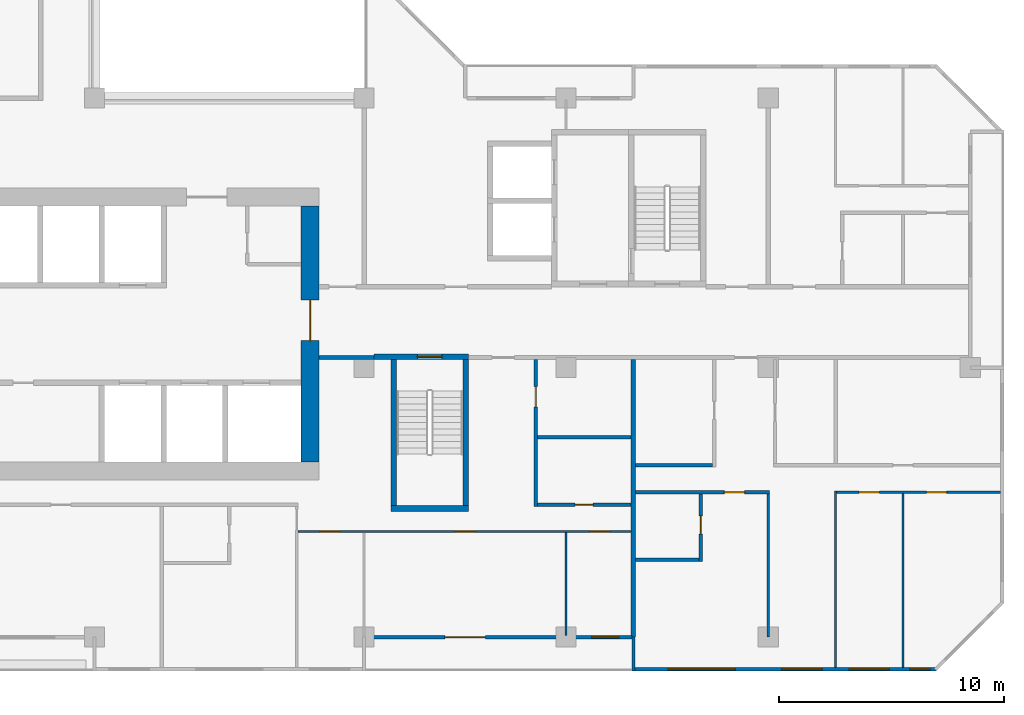
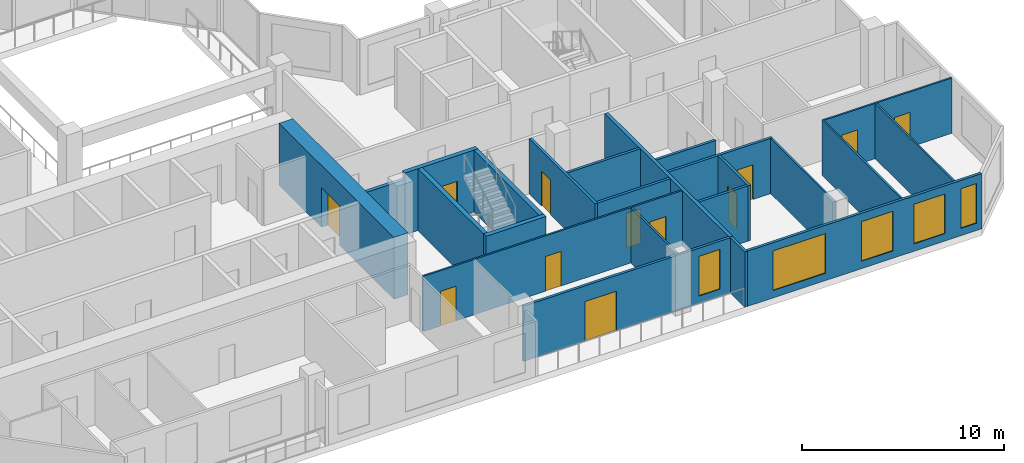
# One storey, part 6 of 14: 23 walls, 12 doors, 5 windows, 17 openings.
"""IFC4 building model written with IfcOpenShell, lengths in metres."""

from ifc_helpers import new_model, si_unit, direction, frame, frame_2d, origin, place, context, subcontext, project, spatial, rectangle, extrude, material, layer, layer_set, type_object, element, fill, save


model = new_model("IFC4")

# Units and contexts
model_context = context("Model", 3, precision=1e-05, world=origin(), true_north=direction((0.0, 1.0)))
body_context = subcontext(model_context, "Body", "Model", "MODEL_VIEW")
ifc_project = project(units=[si_unit("LENGTHUNIT", "METRE"), si_unit("AREAUNIT", "SQUARE_METRE"), si_unit("VOLUMEUNIT", "CUBIC_METRE"), si_unit("PLANEANGLEUNIT", "RADIAN"), si_unit("MASSUNIT", "GRAM", prefix="KILO")], contexts=[model_context])

# Site, building, storey
site_placement = place(None, origin())
site = spatial("IfcSite", under=ifc_project, at=site_placement, CompositionType="ELEMENT")
building_placement = place(site_placement, origin())
building = spatial("IfcBuilding", under=site, at=building_placement, Name="Chenar Terraces", CompositionType="ELEMENT")
storey_placement = place(building_placement, frame((0.0, 0.0, 168.64990234375)))
storey = spatial("IfcBuildingStorey", under=building, at=storey_placement, Name="L38", CompositionType="ELEMENT", Elevation=168.64990234375)

# Wall
ifc_material_1 = material(Name="Concrete C60/75", Category="concrete")
ifc_layer_1 = layer(ifc_material_1, 0.25)
ifc_layer_set_1 = layer_set([ifc_layer_1], Name="Concrete C60/75")
wall_type_1 = type_object("IfcWallType", Name="Core wall 250 Concrete C60/75", PredefinedType="SHEAR", material=ifc_layer_set_1)
wall_1_placement = place(storey_placement, frame((37.199951171875, 5.72509765625, 0.0), z_axis=(0.0, 0.0, 1.0), x_axis=(1.0, 0.0, 0.0)))
element("IfcWall", 1, at=wall_1_placement, inside=storey, type_object=wall_type_1, Name="Core wall ST2_S L38", PredefinedType="SHEAR", context=body_context, shape_type="SweptSolid", body=[
    extrude(rectangle(XDim=3.449951171875, YDim=0.25, at=frame_2d((1.72509765625, 0.0))), origin(), (0.0, 0.0, 1.0), 3.75),
])

# Wall, opening, door
wall_2_placement = place(storey_placement, frame((36.449951171875, 12.47509765625, 0.0), z_axis=(0.0, 0.0, 1.0), x_axis=(1.0, 0.0, 0.0)))
wall_2 = element("IfcWall", 2, at=wall_2_placement, inside=storey, type_object=wall_type_1, Name="Core wall ST2_N L38", PredefinedType="SHEAR", context=body_context, shape_type="SweptSolid", body=[
    extrude(rectangle(XDim=4.199951171875, YDim=0.25, at=frame_2d((2.10009765625, 0.0))), origin(), (0.0, 0.0, 1.0), 3.75),
])
opening_1_placement = place(wall_2_placement, frame((1.925048828125, 0.0, 0.0)))
opening_1 = element("IfcOpeningElement", 3, at=opening_1_placement, cuts=wall_2, Name="Opening DL38-C7", PredefinedType="OPENING", context=body_context, shape_type="SweptSolid", body=[
    extrude(rectangle(XDim=1.10009765625, YDim=2.199951171875, at=frame_2d((0.550048828125, 1.10009765625))), frame((0.0, 0.135009765625, 0.0), z_axis=(0.0, -1.0, 0.0), x_axis=(1.0, 0.0, 0.0)), (0.0, 0.0, 1.0), 0.27001953125),
])
ifc_material_2 = material(Name="Steel-framed fire-resisting door leaf", Category="steel")
door_type_1 = type_object("IfcDoorType", Name="Stair fire door FD60 1100 x 2200", OperationType="SINGLE_SWING_LEFT", PredefinedType="DOOR", material=ifc_material_2)
door_1_placement = place(opening_1_placement, frame((1.10009765625, 0.0, 0.0), z_axis=(0.0, 0.0, 1.0), x_axis=(-1.0, 0.0, 0.0)))
door_1 = element("IfcDoor", 4, at=door_1_placement, inside=storey, type_object=door_type_1, Name="Stair door DL38-C7", OperationType="SINGLE_SWING_RIGHT", OverallHeight=2.199951171875, OverallWidth=1.10009765625, PredefinedType="DOOR", context=body_context, shape_type="SweptSolid", body=[
    extrude(rectangle(XDim=1.10009765625, YDim=2.199951171875, at=frame_2d((0.550048828125, 1.10009765625))), frame((0.0, 0.02490234375, 0.0), z_axis=(0.0, -1.0, 0.0), x_axis=(1.0, 0.0, 0.0)), (0.0, 0.0, 1.0), 0.050048828125),
])
fill(opening_1, door_1)

# Walls
for number, where, z_axis, x_axis, name in (
    (5, (37.324951171875, 5.85009765625, 0.0), (0.0, 0.0, 1.0), (0.0, 1.0, 0.0), "Core wall ST2_W L38"),
    (6, (40.52490234375, 5.85009765625, 0.0), (0.0, 0.0, 1.0), (0.0, 1.0, 0.0), "Core wall ST2_E L38"),
):
    element("IfcWall", number, at=place(storey_placement, frame(where, z_axis=z_axis, x_axis=x_axis)), inside=storey, type_object=wall_type_1, Name=name, PredefinedType="SHEAR", context=body_context, shape_type="SweptSolid", body=[
        extrude(rectangle(XDim=6.5, YDim=0.25, at=frame_2d((3.25, 0.0))), origin(), (0.0, 0.0, 1.0), 3.75),
    ])

# Wall, opening, door
ifc_material_3 = material(Name="Concrete C60/75", Category="concrete")
ifc_layer_2 = layer(ifc_material_3, 0.800048828125)
ifc_layer_set_2 = layer_set([ifc_layer_2], Name="Concrete C60/75")
wall_type_2 = type_object("IfcWallType", Name="Core wall 800 Concrete C60/75", PredefinedType="SHEAR", material=ifc_layer_set_2)
wall_3_placement = place(storey_placement, frame((33.60009765625, 7.800048828125, 0.0), z_axis=(0.0, 0.0, 1.0), x_axis=(0.0, 1.0, 0.0)))
wall_3 = element("IfcWall", 7, at=wall_3_placement, inside=storey, type_object=wall_type_2, Name="Core wall E L38", PredefinedType="SHEAR", context=body_context, shape_type="SweptSolid", body=[
    extrude(rectangle(XDim=11.39990234375, YDim=0.800048828125, at=frame_2d((5.699951171875, 0.0))), origin(), (0.0, 0.0, 1.0), 3.75),
])
opening_2_placement = place(wall_3_placement, frame((5.39990234375, 0.0, 0.0)))
opening_2 = element("IfcOpeningElement", 8, at=opening_2_placement, cuts=wall_3, Name="Opening DL38-C1", PredefinedType="OPENING", context=body_context, shape_type="SweptSolid", body=[
    extrude(rectangle(XDim=1.800048828125, YDim=2.39990234375, at=frame_2d((0.89990234375, 1.199951171875))), frame((0.0, 0.409912109375, 0.0), z_axis=(0.0, -1.0, 0.0), x_axis=(1.0, 0.0, 0.0)), (0.0, 0.0, 1.0), 0.820068359375),
])
ifc_material_4 = material(Name="Steel-framed fire-resisting door leaf", Category="steel")
door_type_2 = type_object("IfcDoorType", Name="Core entrance double fire door FD60 1800 x 2400", OperationType="DOUBLE_DOOR_SINGLE_SWING", PredefinedType="DOOR", material=ifc_material_4)
door_2_placement = place(opening_2_placement, origin())
door_2 = element("IfcDoor", 9, at=door_2_placement, inside=storey, type_object=door_type_2, Name="Core door DL38-C1", OperationType="DOUBLE_DOOR_SINGLE_SWING", OverallHeight=2.39990234375, OverallWidth=1.800048828125, PredefinedType="DOOR", context=body_context, shape_type="SweptSolid", body=[
    extrude(rectangle(XDim=1.800048828125, YDim=2.39990234375, at=frame_2d((0.89990234375, 1.199951171875))), frame((0.0, 0.02490234375, 0.0), z_axis=(0.0, -1.0, 0.0), x_axis=(1.0, 0.0, 0.0)), (0.0, 0.0, 1.0), 0.050048828125),
])
fill(opening_2, door_2)

# Wall
ifc_material_5 = material(Name="Gypsum board on steel studs with fire boards", Category="steel")
ifc_layer_3 = layer(ifc_material_5, 0.199951171875)
ifc_layer_set_3 = layer_set([ifc_layer_3], Name="Gypsum board on steel studs with fire boards")
wall_type_3 = type_object("IfcWallType", Name="Corridor wall 200", PredefinedType="PARTITIONING", material=ifc_layer_set_3)
wall_4_placement = place(storey_placement, frame((34.0, 12.449951171875, 0.0), z_axis=(0.0, 0.0, 1.0), x_axis=(1.0, 0.0, 0.0)))
element("IfcWall", 10, at=wall_4_placement, inside=storey, type_object=wall_type_3, Name="Partition L38-059", PredefinedType="PARTITIONING", context=body_context, shape_type="SweptSolid", body=[
    extrude(rectangle(XDim=2.450927734375, YDim=0.199951171875, at=frame_2d((1.2255859375, 0.0))), origin(), (0.0, 0.0, 1.0), 3.35009765625),
])

# Wall, openings, windows
ifc_material_6 = material(Name="Aluminium framed glazing", Category="aluminium")
ifc_layer_4 = layer(ifc_material_6, 0.14990234375)
ifc_layer_set_4 = layer_set([ifc_layer_4], Name="Aluminium framed glazing")
wall_type_4 = type_object("IfcWallType", Name="Glazed flush facade wall 150", PredefinedType="SOLIDWALL", material=ifc_layer_set_4)
wall_5_placement = place(storey_placement, frame((48.074951171875, -1.425048828125, 0.0), z_axis=(0.0, 0.0, 1.0), x_axis=(1.0, 0.0, 0.0)))
wall_5 = element("IfcWall", 11, at=wall_5_placement, inside=storey, type_object=wall_type_4, Name="Glazed flush facade wall", PredefinedType="SOLIDWALL", context=body_context, shape_type="SweptSolid", body=[
    extrude(rectangle(XDim=13.425048828125, YDim=0.14990234375, at=frame_2d((6.71240234375, 0.0))), origin(), (0.0, 0.0, 1.0), 3.35009765625),
])
opening_3_placement = place(wall_5_placement, frame((1.46240234375, 0.0, 0.449951171875)))
opening_3 = element("IfcOpeningElement", 12, at=opening_3_placement, cuts=wall_5, Name="Opening W300x240", PredefinedType="OPENING", context=body_context, shape_type="SweptSolid", body=[
    extrude(rectangle(XDim=3.0, YDim=2.39990234375, at=frame_2d((1.5, 1.199951171875))), frame((0.0, 0.0849609375, 0.0), z_axis=(0.0, -1.0, 0.0), x_axis=(1.0, 0.0, 0.0)), (0.0, 0.0, 1.0), 0.169921875),
])
opening_4_placement = place(wall_5_placement, frame((6.52490234375, 0.0, 0.449951171875)))
opening_4 = element("IfcOpeningElement", 13, at=opening_4_placement, cuts=wall_5, Name="Opening W180x240", PredefinedType="OPENING", context=body_context, shape_type="SweptSolid", body=[
    extrude(rectangle(XDim=1.800048828125, YDim=2.39990234375, at=frame_2d((0.89990234375, 1.199951171875))), frame((0.0, 0.0849609375, 0.0), z_axis=(0.0, -1.0, 0.0), x_axis=(1.0, 0.0, 0.0)), (0.0, 0.0, 1.0), 0.169921875),
])
opening_5_placement = place(wall_5_placement, frame((9.52490234375, 0.0, 0.449951171875)))
opening_5 = element("IfcOpeningElement", 14, at=opening_5_placement, cuts=wall_5, Name="Opening W180x240", PredefinedType="OPENING", context=body_context, shape_type="SweptSolid", body=[
    extrude(rectangle(XDim=1.800048828125, YDim=2.39990234375, at=frame_2d((0.89990234375, 1.199951171875))), frame((0.0, 0.0849609375, 0.0), z_axis=(0.0, -1.0, 0.0), x_axis=(1.0, 0.0, 0.0)), (0.0, 0.0, 1.0), 0.169921875),
])
opening_6_placement = place(wall_5_placement, frame((12.22509765625, 0.0, 0.449951171875)))
opening_6 = element("IfcOpeningElement", 15, at=opening_6_placement, cuts=wall_5, Name="Opening W90x240", PredefinedType="OPENING", context=body_context, shape_type="SweptSolid", body=[
    extrude(rectangle(XDim=0.89990234375, YDim=2.39990234375, at=frame_2d((0.449951171875, 1.199951171875))), frame((0.0, 0.0849609375, 0.0), z_axis=(0.0, -1.0, 0.0), x_axis=(1.0, 0.0, 0.0)), (0.0, 0.0, 1.0), 0.169921875),
])
ifc_material_7 = material(Name="Low emissivity double glazing, aluminium frame", Category="aluminium")
window_type_1 = type_object("IfcWindowType", Name="Fixed light 1800 x 2400", PartitioningType="SINGLE_PANEL", PredefinedType="WINDOW", material=ifc_material_7)
window_1_placement = place(opening_4_placement, origin())
window_1 = element("IfcWindow", 16, at=window_1_placement, inside=storey, type_object=window_type_1, Name="Window", OverallHeight=2.39990234375, OverallWidth=1.800048828125, PartitioningType="SINGLE_PANEL", PredefinedType="WINDOW", context=body_context, shape_type="SweptSolid", body=[
    extrude(rectangle(XDim=1.800048828125, YDim=2.39990234375, at=frame_2d((0.89990234375, 1.199951171875))), frame((0.0, 0.030029296875, 0.0), z_axis=(0.0, -1.0, 0.0), x_axis=(1.0, 0.0, 0.0)), (0.0, 0.0, 1.0), 0.06005859375),
])
fill(opening_4, window_1)
window_2_placement = place(opening_5_placement, origin())
window_2 = element("IfcWindow", 17, at=window_2_placement, inside=storey, type_object=window_type_1, Name="Window", OverallHeight=2.39990234375, OverallWidth=1.800048828125, PartitioningType="SINGLE_PANEL", PredefinedType="WINDOW", context=body_context, shape_type="SweptSolid", body=[
    extrude(rectangle(XDim=1.800048828125, YDim=2.39990234375, at=frame_2d((0.89990234375, 1.199951171875))), frame((0.0, 0.030029296875, 0.0), z_axis=(0.0, -1.0, 0.0), x_axis=(1.0, 0.0, 0.0)), (0.0, 0.0, 1.0), 0.06005859375),
])
fill(opening_5, window_2)
ifc_material_8 = material(Name="Low emissivity double glazing, aluminium frame", Category="aluminium")
window_type_2 = type_object("IfcWindowType", Name="Fixed light 3000 x 2400", PartitioningType="SINGLE_PANEL", PredefinedType="WINDOW", material=ifc_material_8)
window_3_placement = place(opening_3_placement, origin())
window_3 = element("IfcWindow", 18, at=window_3_placement, inside=storey, type_object=window_type_2, Name="Window", OverallHeight=2.39990234375, OverallWidth=3.0, PartitioningType="SINGLE_PANEL", PredefinedType="WINDOW", context=body_context, shape_type="SweptSolid", body=[
    extrude(rectangle(XDim=3.0, YDim=2.39990234375, at=frame_2d((1.5, 1.199951171875))), frame((0.0, 0.030029296875, 0.0), z_axis=(0.0, -1.0, 0.0), x_axis=(1.0, 0.0, 0.0)), (0.0, 0.0, 1.0), 0.06005859375),
])
fill(opening_3, window_3)
ifc_material_9 = material(Name="Low emissivity double glazing, aluminium frame", Category="aluminium")
window_type_3 = type_object("IfcWindowType", Name="Fixed light 900 x 2400", PartitioningType="SINGLE_PANEL", PredefinedType="WINDOW", material=ifc_material_9)
window_4_placement = place(opening_6_placement, origin())
window_4 = element("IfcWindow", 19, at=window_4_placement, inside=storey, type_object=window_type_3, Name="Window", OverallHeight=2.39990234375, OverallWidth=0.89990234375, PartitioningType="SINGLE_PANEL", PredefinedType="WINDOW", context=body_context, shape_type="SweptSolid", body=[
    extrude(rectangle(XDim=0.89990234375, YDim=2.39990234375, at=frame_2d((0.449951171875, 1.199951171875))), frame((0.0, 0.030029296875, 0.0), z_axis=(0.0, -1.0, 0.0), x_axis=(1.0, 0.0, 0.0)), (0.0, 0.0, 1.0), 0.06005859375),
])
fill(opening_6, window_4)

# Wall, openings, window, door
ifc_material_10 = material(Name="Aluminium framed glazing", Category="aluminium")
ifc_layer_5 = layer(ifc_material_10, 0.14990234375)
ifc_layer_set_5 = layer_set([ifc_layer_5], Name="Aluminium framed glazing")
wall_type_5 = type_object("IfcWallType", Name="Glazed loggia back wall 150", PredefinedType="SOLIDWALL", material=ifc_layer_set_5)
wall_6_placement = place(storey_placement, frame((36.074951171875, 0.0, 0.0), z_axis=(0.0, 0.0, 1.0), x_axis=(1.0, 0.0, 0.0)))
wall_6 = element("IfcWall", 20, at=wall_6_placement, inside=storey, type_object=wall_type_5, Name="Glazed loggia back wall", PredefinedType="SOLIDWALL", context=body_context, shape_type="SweptSolid", body=[
    extrude(rectangle(XDim=11.85009765625, YDim=0.14990234375, at=frame_2d((5.925048828125, 0.0))), origin(), (0.0, 0.0, 1.0), 3.35009765625),
])
opening_7_placement = place(wall_6_placement, frame((3.52490234375, 0.0, 0.0)))
opening_7 = element("IfcOpeningElement", 21, at=opening_7_placement, cuts=wall_6, Name="Opening DL38-G6", PredefinedType="OPENING", context=body_context, shape_type="SweptSolid", body=[
    extrude(rectangle(XDim=1.800048828125, YDim=2.39990234375, at=frame_2d((0.89990234375, 1.199951171875))), frame((0.0, 0.0849609375, 0.0), z_axis=(0.0, -1.0, 0.0), x_axis=(1.0, 0.0, 0.0)), (0.0, 0.0, 1.0), 0.169921875),
])
opening_8_placement = place(wall_6_placement, frame((10.0625, 0.0, 0.449951171875)))
opening_8 = element("IfcOpeningElement", 22, at=opening_8_placement, cuts=wall_6, Name="Opening W120x240", PredefinedType="OPENING", context=body_context, shape_type="SweptSolid", body=[
    extrude(rectangle(XDim=1.199951171875, YDim=2.39990234375, at=frame_2d((0.60009765625, 1.199951171875))), frame((0.0, 0.0849609375, 0.0), z_axis=(0.0, -1.0, 0.0), x_axis=(1.0, 0.0, 0.0)), (0.0, 0.0, 1.0), 0.169921875),
])
ifc_material_11 = material(Name="Low emissivity double glazing, aluminium frame", Category="aluminium")
window_type_4 = type_object("IfcWindowType", Name="Fixed light 1200 x 2400", PartitioningType="SINGLE_PANEL", PredefinedType="WINDOW", material=ifc_material_11)
window_5_placement = place(opening_8_placement, origin())
window_5 = element("IfcWindow", 23, at=window_5_placement, inside=storey, type_object=window_type_4, Name="Window", OverallHeight=2.39990234375, OverallWidth=1.199951171875, PartitioningType="SINGLE_PANEL", PredefinedType="WINDOW", context=body_context, shape_type="SweptSolid", body=[
    extrude(rectangle(XDim=1.199951171875, YDim=2.39990234375, at=frame_2d((0.60009765625, 1.199951171875))), frame((0.0, 0.030029296875, 0.0), z_axis=(0.0, -1.0, 0.0), x_axis=(1.0, 0.0, 0.0)), (0.0, 0.0, 1.0), 0.06005859375),
])
fill(opening_8, window_5)
ifc_material_12 = material(Name="Low emissivity double glazing, aluminium frame", Category="aluminium")
door_type_3 = type_object("IfcDoorType", Name="Loggia glazed double door 1800 x 2400", OperationType="DOUBLE_DOOR_SINGLE_SWING", PredefinedType="DOOR", material=ifc_material_12)
door_3_placement = place(opening_7_placement, frame((1.800048828125, 0.0, 0.0), z_axis=(0.0, 0.0, 1.0), x_axis=(-1.0, 0.0, 0.0)))
door_3 = element("IfcDoor", 24, at=door_3_placement, inside=storey, type_object=door_type_3, Name="Loggia glazed door", OperationType="DOUBLE_DOOR_SINGLE_SWING", OverallHeight=2.39990234375, OverallWidth=1.800048828125, PredefinedType="DOOR", context=body_context, shape_type="SweptSolid", body=[
    extrude(rectangle(XDim=1.800048828125, YDim=2.39990234375, at=frame_2d((0.89990234375, 1.199951171875))), frame((0.0, 0.02490234375, 0.0), z_axis=(0.0, -1.0, 0.0), x_axis=(1.0, 0.0, 0.0)), (0.0, 0.0, 1.0), 0.050048828125),
])
fill(opening_7, door_3)

# Wall, openings, doors
ifc_material_13 = material(Name="Gypsum board on steel studs", Category="steel")
ifc_layer_6 = layer(ifc_material_13, 0.10009765625)
ifc_layer_set_6 = layer_set([ifc_layer_6], Name="Gypsum board on steel studs")
wall_type_6 = type_object("IfcWallType", Name="Gypsum partition 100", PredefinedType="PARTITIONING", material=ifc_layer_set_6)
wall_7_placement = place(storey_placement, frame((33.050048828125, 4.699951171875, 0.0), z_axis=(0.0, 0.0, 1.0), x_axis=(1.0, 0.0, 0.0)))
wall_7 = element("IfcWall", 25, at=wall_7_placement, inside=storey, type_object=wall_type_6, Name="Partition L38-058", PredefinedType="PARTITIONING", context=body_context, shape_type="SweptSolid", body=[
    extrude(rectangle(XDim=14.849853515625, YDim=0.10009765625, at=frame_2d((7.4248046875, 0.0))), origin(), (0.0, 0.0, 1.0), 3.35009765625),
])
opening_9_placement = place(wall_7_placement, frame((1.0, 0.0, 0.0)))
opening_9 = element("IfcOpeningElement", 26, at=opening_9_placement, cuts=wall_7, Name="Opening DL38-48", PredefinedType="OPENING", context=body_context, shape_type="SweptSolid", body=[
    extrude(rectangle(XDim=0.89990234375, YDim=2.10009765625, at=frame_2d((0.449951171875, 1.050048828125))), frame((0.0, 0.06005859375, 0.0), z_axis=(0.0, -1.0, 0.0), x_axis=(1.0, 0.0, 0.0)), (0.0, 0.0, 1.0), 0.1201171875),
])
opening_10_placement = place(wall_7_placement, frame((13.0, 0.0, 0.0)))
opening_10 = element("IfcOpeningElement", 27, at=opening_10_placement, cuts=wall_7, Name="Opening DL38-49", PredefinedType="OPENING", context=body_context, shape_type="SweptSolid", body=[
    extrude(rectangle(XDim=0.89990234375, YDim=2.10009765625, at=frame_2d((0.449951171875, 1.050048828125))), frame((0.0, 0.06005859375, 0.0), z_axis=(0.0, -1.0, 0.0), x_axis=(1.0, 0.0, 0.0)), (0.0, 0.0, 1.0), 0.1201171875),
])
opening_11_placement = place(wall_7_placement, frame((7.0, 0.0, 0.0)))
opening_11 = element("IfcOpeningElement", 28, at=opening_11_placement, cuts=wall_7, Name="Opening DL38-57", PredefinedType="OPENING", context=body_context, shape_type="SweptSolid", body=[
    extrude(rectangle(XDim=0.89990234375, YDim=2.10009765625, at=frame_2d((0.449951171875, 1.050048828125))), frame((0.0, 0.06005859375, 0.0), z_axis=(0.0, -1.0, 0.0), x_axis=(1.0, 0.0, 0.0)), (0.0, 0.0, 1.0), 0.1201171875),
])
ifc_material_14 = material(Name="Veneered timber door leaf", Category="wood")
door_type_4 = type_object("IfcDoorType", Name="Door 900 x 2100", OperationType="SINGLE_SWING_LEFT", PredefinedType="DOOR", material=ifc_material_14)
door_4_placement = place(opening_9_placement, frame((0.89990234375, 0.0, 0.0), z_axis=(0.0, 0.0, 1.0), x_axis=(-1.0, 0.0, 0.0)))
door_4 = element("IfcDoor", 29, at=door_4_placement, inside=storey, type_object=door_type_4, Name="Door DL38-48", OperationType="SINGLE_SWING_LEFT", OverallHeight=2.10009765625, OverallWidth=0.89990234375, PredefinedType="DOOR", context=body_context, shape_type="SweptSolid", body=[
    extrude(rectangle(XDim=0.89990234375, YDim=2.10009765625, at=frame_2d((0.449951171875, 1.050048828125))), frame((0.0, 0.02490234375, 0.0), z_axis=(0.0, -1.0, 0.0), x_axis=(1.0, 0.0, 0.0)), (0.0, 0.0, 1.0), 0.050048828125),
])
fill(opening_9, door_4)
door_5_placement = place(opening_10_placement, frame((0.89990234375, 0.0, 0.0), z_axis=(0.0, 0.0, 1.0), x_axis=(-1.0, 0.0, 0.0)))
door_5 = element("IfcDoor", 30, at=door_5_placement, inside=storey, type_object=door_type_4, Name="Door DL38-49", OperationType="SINGLE_SWING_LEFT", OverallHeight=2.10009765625, OverallWidth=0.89990234375, PredefinedType="DOOR", context=body_context, shape_type="SweptSolid", body=[
    extrude(rectangle(XDim=0.89990234375, YDim=2.10009765625, at=frame_2d((0.449951171875, 1.050048828125))), frame((0.0, 0.02490234375, 0.0), z_axis=(0.0, -1.0, 0.0), x_axis=(1.0, 0.0, 0.0)), (0.0, 0.0, 1.0), 0.050048828125),
])
fill(opening_10, door_5)
door_6_placement = place(opening_11_placement, frame((0.89990234375, 0.0, 0.0), z_axis=(0.0, 0.0, 1.0), x_axis=(-1.0, 0.0, 0.0)))
door_6 = element("IfcDoor", 31, at=door_6_placement, inside=storey, type_object=door_type_4, Name="Door DL38-57", OperationType="SINGLE_SWING_LEFT", OverallHeight=2.10009765625, OverallWidth=0.89990234375, PredefinedType="DOOR", context=body_context, shape_type="SweptSolid", body=[
    extrude(rectangle(XDim=0.89990234375, YDim=2.10009765625, at=frame_2d((0.449951171875, 1.050048828125))), frame((0.0, 0.02490234375, 0.0), z_axis=(0.0, -1.0, 0.0), x_axis=(1.0, 0.0, 0.0)), (0.0, 0.0, 1.0), 0.050048828125),
])
fill(opening_11, door_6)

# Walls
wall_8_placement = place(storey_placement, frame((45.0, 0.073974609375, 0.0), z_axis=(0.0, 0.0, 1.0), x_axis=(0.0, 1.0, 0.0)))
element("IfcWall", 32, at=wall_8_placement, inside=storey, type_object=wall_type_6, Name="Partition L38-067", PredefinedType="PARTITIONING", context=body_context, shape_type="SweptSolid", body=[
    extrude(rectangle(XDim=4.575927734375, YDim=0.10009765625, at=frame_2d((2.2880859375, 0.0))), origin(), (0.0, 0.0, 1.0), 3.35009765625),
])
wall_9_placement = place(storey_placement, frame((54.0, 0.0, 0.0), z_axis=(0.0, 0.0, 1.0), x_axis=(0.0, 1.0, 0.0)))
element("IfcWall", 33, at=wall_9_placement, inside=storey, type_object=wall_type_6, Name="Partition L38-076", PredefinedType="PARTITIONING", context=body_context, shape_type="SweptSolid", body=[
    extrude(rectangle(XDim=6.375, YDim=0.10009765625, at=frame_2d((3.1875, 0.0))), origin(), (0.0, 0.0, 1.0), 3.35009765625),
])
wall_10_placement = place(storey_placement, frame((57.0, -1.35009765625, 0.0), z_axis=(0.0, 0.0, 1.0), x_axis=(0.0, 1.0, 0.0)))
element("IfcWall", 34, at=wall_10_placement, inside=storey, type_object=wall_type_6, Name="Partition L38-081", PredefinedType="PARTITIONING", context=body_context, shape_type="SweptSolid", body=[
    extrude(rectangle(XDim=7.85009765625, YDim=0.10009765625, at=frame_2d((3.925048828125, 0.0))), origin(), (0.0, 0.0, 1.0), 3.35009765625),
])

# Wall, openings, doors
wall_11_placement = place(storey_placement, frame((57.050048828125, 6.449951171875, 0.0), z_axis=(0.0, 0.0, 1.0), x_axis=(1.0, 0.0, 0.0)))
wall_11 = element("IfcWall", 35, at=wall_11_placement, inside=storey, type_object=wall_type_6, Name="Partition L38-084", PredefinedType="PARTITIONING", context=body_context, shape_type="SweptSolid", body=[
    extrude(rectangle(XDim=7.300048828125, YDim=0.10009765625, at=frame_2d((3.64990234375, 0.0))), origin(), (0.0, 0.0, 1.0), 3.35009765625),
])
opening_12_placement = place(wall_11_placement, frame((1.0, 0.0, 0.0)))
opening_12 = element("IfcOpeningElement", 36, at=opening_12_placement, cuts=wall_11, Name="Opening DL38-10", PredefinedType="OPENING", context=body_context, shape_type="SweptSolid", body=[
    extrude(rectangle(XDim=0.89990234375, YDim=2.10009765625, at=frame_2d((0.449951171875, 1.050048828125))), frame((0.0, 0.06005859375, 0.0), z_axis=(0.0, -1.0, 0.0), x_axis=(1.0, 0.0, 0.0)), (0.0, 0.0, 1.0), 0.1201171875),
])
opening_13_placement = place(wall_11_placement, frame((4.0, 0.0, 0.0)))
opening_13 = element("IfcOpeningElement", 37, at=opening_13_placement, cuts=wall_11, Name="Opening DL38-11", PredefinedType="OPENING", context=body_context, shape_type="SweptSolid", body=[
    extrude(rectangle(XDim=0.89990234375, YDim=2.10009765625, at=frame_2d((0.449951171875, 1.050048828125))), frame((0.0, 0.06005859375, 0.0), z_axis=(0.0, -1.0, 0.0), x_axis=(1.0, 0.0, 0.0)), (0.0, 0.0, 1.0), 0.1201171875),
])
door_7_placement = place(opening_12_placement, frame((0.89990234375, 0.0, 0.0), z_axis=(0.0, 0.0, 1.0), x_axis=(-1.0, 0.0, 0.0)))
door_7 = element("IfcDoor", 38, at=door_7_placement, inside=storey, type_object=door_type_4, Name="Door DL38-10", OperationType="SINGLE_SWING_LEFT", OverallHeight=2.10009765625, OverallWidth=0.89990234375, PredefinedType="DOOR", context=body_context, shape_type="SweptSolid", body=[
    extrude(rectangle(XDim=0.89990234375, YDim=2.10009765625, at=frame_2d((0.449951171875, 1.050048828125))), frame((0.0, 0.02490234375, 0.0), z_axis=(0.0, -1.0, 0.0), x_axis=(1.0, 0.0, 0.0)), (0.0, 0.0, 1.0), 0.050048828125),
])
fill(opening_12, door_7)
door_8_placement = place(opening_13_placement, frame((0.89990234375, 0.0, 0.0), z_axis=(0.0, 0.0, 1.0), x_axis=(-1.0, 0.0, 0.0)))
door_8 = element("IfcDoor", 39, at=door_8_placement, inside=storey, type_object=door_type_4, Name="Door DL38-11", OperationType="SINGLE_SWING_RIGHT", OverallHeight=2.10009765625, OverallWidth=0.89990234375, PredefinedType="DOOR", context=body_context, shape_type="SweptSolid", body=[
    extrude(rectangle(XDim=0.89990234375, YDim=2.10009765625, at=frame_2d((0.449951171875, 1.050048828125))), frame((0.0, 0.02490234375, 0.0), z_axis=(0.0, -1.0, 0.0), x_axis=(1.0, 0.0, 0.0)), (0.0, 0.0, 1.0), 0.050048828125),
])
fill(opening_13, door_8)

# Walls
wall_12_placement = place(storey_placement, frame((60.0, -1.35107421875, 0.0), z_axis=(0.0, 0.0, 1.0), x_axis=(0.0, 1.0, 0.0)))
element("IfcWall", 40, at=wall_12_placement, inside=storey, type_object=wall_type_6, Name="Partition L38-087", PredefinedType="PARTITIONING", context=body_context, shape_type="SweptSolid", body=[
    extrude(rectangle(XDim=7.7509765625, YDim=0.10009765625, at=frame_2d((3.87548828125, 0.0))), origin(), (0.0, 0.0, 1.0), 3.35009765625),
])
ifc_material_15 = material(Name="Terracotta cladding on insulated backing", Category="masonry")
ifc_layer_7 = layer(ifc_material_15, 0.14990234375)
ifc_layer_set_7 = layer_set([ifc_layer_7], Name="Terracotta cladding on insulated backing")
wall_type_7 = type_object("IfcWallType", Name="Loggia return wall 150", PredefinedType="SOLIDWALL", material=ifc_layer_set_7)
wall_13_placement = place(storey_placement, frame((48.0, -1.5, 0.0), z_axis=(0.0, 0.0, 1.0), x_axis=(0.0, 1.0, 0.0)))
element("IfcWall", 41, at=wall_13_placement, inside=storey, type_object=wall_type_7, Name="Loggia return wall", PredefinedType="SOLIDWALL", context=body_context, shape_type="SweptSolid", body=[
    extrude(rectangle(XDim=1.5, YDim=0.14990234375, at=frame_2d((0.75, 0.0))), origin(), (0.0, 0.0, 1.0), 3.35009765625),
])
ifc_material_16 = material(Name="Twin gypsum board on steel studs with mineral wool", Category="steel")
ifc_layer_8 = layer(ifc_material_16, 0.199951171875)
ifc_layer_set_8 = layer_set([ifc_layer_8], Name="Twin gypsum board on steel studs with mineral wool")
wall_type_8 = type_object("IfcWallType", Name="Unit demising wall 200", PredefinedType="PARTITIONING", material=ifc_layer_set_8)
wall_14_placement = place(storey_placement, frame((48.0, 0.0, 0.0), z_axis=(0.0, 0.0, 1.0), x_axis=(0.0, 1.0, 0.0)))
element("IfcWall", 42, at=wall_14_placement, inside=storey, type_object=wall_type_8, Name="Partition L38-069", PredefinedType="PARTITIONING", context=body_context, shape_type="SweptSolid", body=[
    extrude(rectangle(XDim=12.35009765625, YDim=0.199951171875, at=frame_2d((6.175048828125, 0.0))), origin(), (0.0, 0.0, 1.0), 3.35009765625),
])

# Wall, opening, door
ifc_material_17 = material(Name="Moisture-resistant gypsum board on steel studs", Category="steel")
ifc_layer_9 = layer(ifc_material_17, 0.14990234375)
ifc_layer_set_9 = layer_set([ifc_layer_9], Name="Moisture-resistant gypsum board on steel studs")
wall_type_9 = type_object("IfcWallType", Name="Wet-room partition 150", PredefinedType="PARTITIONING", material=ifc_layer_set_9)
wall_15_placement = place(storey_placement, frame((43.64990234375, 5.824951171875, 0.0), z_axis=(0.0, 0.0, 1.0), x_axis=(0.0, 1.0, 0.0)))
wall_15 = element("IfcWall", 43, at=wall_15_placement, inside=storey, type_object=wall_type_9, Name="Partition L38-064", PredefinedType="PARTITIONING", context=body_context, shape_type="SweptSolid", body=[
    extrude(rectangle(XDim=6.525146484375, YDim=0.14990234375, at=frame_2d((3.2626953125, 0.0))), origin(), (0.0, 0.0, 1.0), 3.35009765625),
])
opening_14_placement = place(wall_15_placement, frame((4.425048828125, 0.0, 0.0)))
opening_14 = element("IfcOpeningElement", 44, at=opening_14_placement, cuts=wall_15, Name="Opening DL38-55", PredefinedType="OPENING", context=body_context, shape_type="SweptSolid", body=[
    extrude(rectangle(XDim=0.89990234375, YDim=2.10009765625, at=frame_2d((0.449951171875, 1.050048828125))), frame((0.0, 0.0849609375, 0.0), z_axis=(0.0, -1.0, 0.0), x_axis=(1.0, 0.0, 0.0)), (0.0, 0.0, 1.0), 0.169921875),
])
door_9_placement = place(opening_14_placement, frame((0.89990234375, 0.0, 0.0), z_axis=(0.0, 0.0, 1.0), x_axis=(-1.0, 0.0, 0.0)))
door_9 = element("IfcDoor", 45, at=door_9_placement, inside=storey, type_object=door_type_4, Name="Door DL38-55", OperationType="SINGLE_SWING_LEFT", OverallHeight=2.10009765625, OverallWidth=0.89990234375, PredefinedType="DOOR", context=body_context, shape_type="SweptSolid", body=[
    extrude(rectangle(XDim=0.89990234375, YDim=2.10009765625, at=frame_2d((0.449951171875, 1.050048828125))), frame((0.0, 0.02490234375, 0.0), z_axis=(0.0, -1.0, 0.0), x_axis=(1.0, 0.0, 0.0)), (0.0, 0.0, 1.0), 0.050048828125),
])
fill(opening_14, door_9)

wall_16_placement = place(storey_placement, frame((43.72509765625, 5.89990234375, 0.0), z_axis=(0.0, 0.0, 1.0), x_axis=(1.0, 0.0, 0.0)))
wall_16 = element("IfcWall", 46, at=wall_16_placement, inside=storey, type_object=wall_type_9, Name="Partition L38-065", PredefinedType="PARTITIONING", context=body_context, shape_type="SweptSolid", body=[
    extrude(rectangle(XDim=4.1748046875, YDim=0.14990234375, at=frame_2d((2.08740234375, 0.0))), origin(), (0.0, 0.0, 1.0), 3.35009765625),
])
opening_15_placement = place(wall_16_placement, frame((1.675048828125, 0.0, 0.0)))
opening_15 = element("IfcOpeningElement", 47, at=opening_15_placement, cuts=wall_16, Name="Opening DL38-45", PredefinedType="OPENING", context=body_context, shape_type="SweptSolid", body=[
    extrude(rectangle(XDim=0.800048828125, YDim=2.10009765625, at=frame_2d((0.39990234375, 1.050048828125))), frame((0.0, 0.0849609375, 0.0), z_axis=(0.0, -1.0, 0.0), x_axis=(1.0, 0.0, 0.0)), (0.0, 0.0, 1.0), 0.169921875),
])
ifc_material_18 = material(Name="Veneered timber door leaf", Category="wood")
door_type_5 = type_object("IfcDoorType", Name="Door 800 x 2100", OperationType="SINGLE_SWING_LEFT", PredefinedType="DOOR", material=ifc_material_18)
door_10_placement = place(opening_15_placement, origin())
door_10 = element("IfcDoor", 48, at=door_10_placement, inside=storey, type_object=door_type_5, Name="Door DL38-45", OperationType="SINGLE_SWING_LEFT", OverallHeight=2.10009765625, OverallWidth=0.800048828125, PredefinedType="DOOR", context=body_context, shape_type="SweptSolid", body=[
    extrude(rectangle(XDim=0.800048828125, YDim=2.10009765625, at=frame_2d((0.39990234375, 1.050048828125))), frame((0.0, 0.02490234375, 0.0), z_axis=(0.0, -1.0, 0.0), x_axis=(1.0, 0.0, 0.0)), (0.0, 0.0, 1.0), 0.050048828125),
])
fill(opening_15, door_10)

# Walls
wall_17_placement = place(storey_placement, frame((43.72509765625, 8.89990234375, 0.0), z_axis=(0.0, 0.0, 1.0), x_axis=(1.0, 0.0, 0.0)))
element("IfcWall", 49, at=wall_17_placement, inside=storey, type_object=wall_type_9, Name="Partition L38-066", PredefinedType="PARTITIONING", context=body_context, shape_type="SweptSolid", body=[
    extrude(rectangle(XDim=4.1748046875, YDim=0.14990234375, at=frame_2d((2.08740234375, 0.0))), origin(), (0.0, 0.0, 1.0), 3.35009765625),
])
wall_18_placement = place(storey_placement, frame((48.10009765625, 3.449951171875, 0.0), z_axis=(0.0, 0.0, 1.0), x_axis=(1.0, 0.0, 0.0)))
element("IfcWall", 50, at=wall_18_placement, inside=storey, type_object=wall_type_9, Name="Partition L38-070", PredefinedType="PARTITIONING", context=body_context, shape_type="SweptSolid", body=[
    extrude(rectangle(XDim=2.824951171875, YDim=0.14990234375, at=frame_2d((1.41259765625, 0.0))), origin(), (0.0, 0.0, 1.0), 3.35009765625),
])

# Wall, opening, door
wall_19_placement = place(storey_placement, frame((48.10009765625, 6.449951171875, 0.0), z_axis=(0.0, 0.0, 1.0), x_axis=(1.0, 0.0, 0.0)))
wall_19 = element("IfcWall", 51, at=wall_19_placement, inside=storey, type_object=wall_type_9, Name="Partition L38-071", PredefinedType="PARTITIONING", context=body_context, shape_type="SweptSolid", body=[
    extrude(rectangle(XDim=5.949951171875, YDim=0.14990234375, at=frame_2d((2.97509765625, 0.0))), origin(), (0.0, 0.0, 1.0), 3.35009765625),
])
opening_16_placement = place(wall_19_placement, frame((3.949951171875, 0.0, 0.0)))
opening_16 = element("IfcOpeningElement", 52, at=opening_16_placement, cuts=wall_19, Name="Opening DL38-12", PredefinedType="OPENING", context=body_context, shape_type="SweptSolid", body=[
    extrude(rectangle(XDim=0.89990234375, YDim=2.10009765625, at=frame_2d((0.449951171875, 1.050048828125))), frame((0.0, 0.0849609375, 0.0), z_axis=(0.0, -1.0, 0.0), x_axis=(1.0, 0.0, 0.0)), (0.0, 0.0, 1.0), 0.169921875),
])
door_11_placement = place(opening_16_placement, frame((0.89990234375, 0.0, 0.0), z_axis=(0.0, 0.0, 1.0), x_axis=(-1.0, 0.0, 0.0)))
door_11 = element("IfcDoor", 53, at=door_11_placement, inside=storey, type_object=door_type_4, Name="Door DL38-12", OperationType="SINGLE_SWING_LEFT", OverallHeight=2.10009765625, OverallWidth=0.89990234375, PredefinedType="DOOR", context=body_context, shape_type="SweptSolid", body=[
    extrude(rectangle(XDim=0.89990234375, YDim=2.10009765625, at=frame_2d((0.449951171875, 1.050048828125))), frame((0.0, 0.02490234375, 0.0), z_axis=(0.0, -1.0, 0.0), x_axis=(1.0, 0.0, 0.0)), (0.0, 0.0, 1.0), 0.050048828125),
])
fill(opening_16, door_11)

# Wall
wall_20_placement = place(storey_placement, frame((48.10009765625, 7.64990234375, 0.0), z_axis=(0.0, 0.0, 1.0), x_axis=(1.0, 0.0, 0.0)))
element("IfcWall", 54, at=wall_20_placement, inside=storey, type_object=wall_type_9, Name="Partition L38-072", PredefinedType="PARTITIONING", context=body_context, shape_type="SweptSolid", body=[
    extrude(rectangle(XDim=3.4248046875, YDim=0.14990234375, at=frame_2d((1.71240234375, 0.0))), origin(), (0.0, 0.0, 1.0), 3.35009765625),
])

# Wall, opening, door
wall_21_placement = place(storey_placement, frame((51.0, 3.375, 0.0), z_axis=(0.0, 0.0, 1.0), x_axis=(0.0, 1.0, 0.0)))
wall_21 = element("IfcWall", 55, at=wall_21_placement, inside=storey, type_object=wall_type_9, Name="Partition L38-073", PredefinedType="PARTITIONING", context=body_context, shape_type="SweptSolid", body=[
    extrude(rectangle(XDim=3.0, YDim=0.14990234375, at=frame_2d((1.5, 0.0))), origin(), (0.0, 0.0, 1.0), 3.35009765625),
])
opening_17_placement = place(wall_21_placement, frame((1.22509765625, 0.0, 0.0)))
opening_17 = element("IfcOpeningElement", 56, at=opening_17_placement, cuts=wall_21, Name="Opening DL38-13", PredefinedType="OPENING", context=body_context, shape_type="SweptSolid", body=[
    extrude(rectangle(XDim=0.800048828125, YDim=2.10009765625, at=frame_2d((0.39990234375, 1.050048828125))), frame((0.0, 0.0849609375, 0.0), z_axis=(0.0, -1.0, 0.0), x_axis=(1.0, 0.0, 0.0)), (0.0, 0.0, 1.0), 0.169921875),
])
door_12_placement = place(opening_17_placement, origin())
door_12 = element("IfcDoor", 57, at=door_12_placement, inside=storey, type_object=door_type_5, Name="Door DL38-13", OperationType="SINGLE_SWING_RIGHT", OverallHeight=2.10009765625, OverallWidth=0.800048828125, PredefinedType="DOOR", context=body_context, shape_type="SweptSolid", body=[
    extrude(rectangle(XDim=0.800048828125, YDim=2.10009765625, at=frame_2d((0.39990234375, 1.050048828125))), frame((0.0, 0.02490234375, 0.0), z_axis=(0.0, -1.0, 0.0), x_axis=(1.0, 0.0, 0.0)), (0.0, 0.0, 1.0), 0.050048828125),
])
fill(opening_17, door_12)

save(model, "model.ifc")
